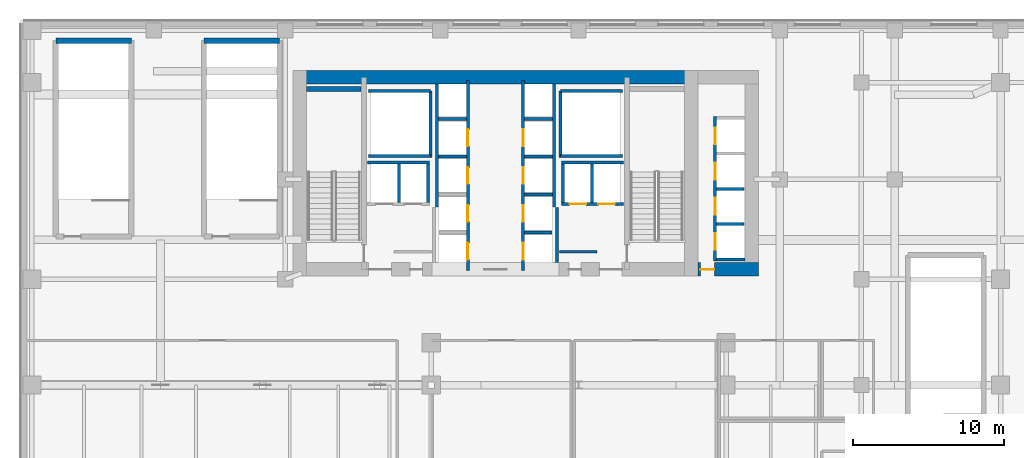
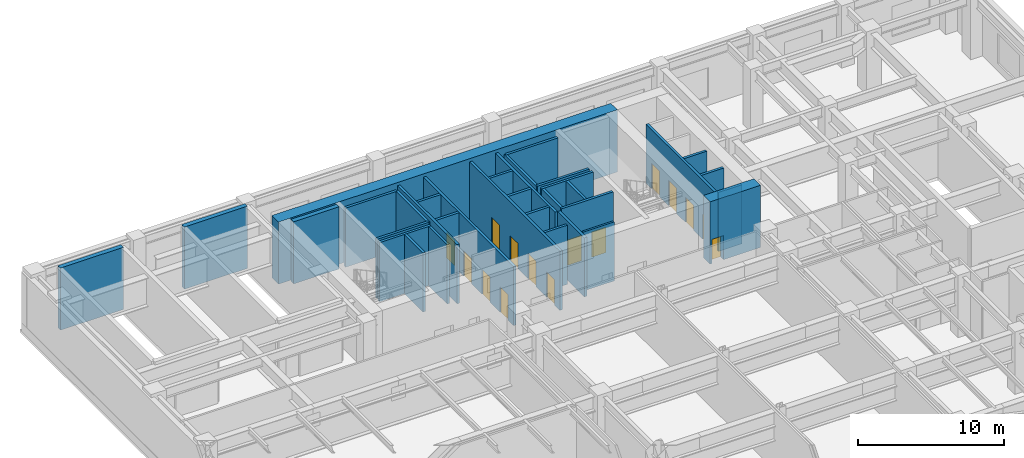
# One storey, part 7 of 14: 34 walls, 15 doors, 15 openings.
"""IFC4 building model written with IfcOpenShell, lengths in metres."""

from ifc_helpers import new_model, si_unit, direction, frame, frame_2d, origin, place, context, subcontext, project, spatial, rectangle, extrude, source, transform, mapped, material, layer, layer_set, type_object, type_shapes, element, fill, save


model = new_model("IFC4")

# Units and contexts
model_context = context("Model", 3, precision=1e-05, world=origin(), true_north=direction((0.0, 1.0)))
body_context = subcontext(model_context, "Body", "Model", "MODEL_VIEW")
ifc_project = project(units=[si_unit("LENGTHUNIT", "METRE"), si_unit("AREAUNIT", "SQUARE_METRE"), si_unit("VOLUMEUNIT", "CUBIC_METRE"), si_unit("PLANEANGLEUNIT", "RADIAN"), si_unit("MASSUNIT", "GRAM", prefix="KILO")], contexts=[model_context])

# Site, building, storey
site_placement = place(None, origin())
site = spatial("IfcSite", under=ifc_project, at=site_placement, CompositionType="ELEMENT")
building_placement = place(site_placement, origin())
building = spatial("IfcBuilding", under=site, at=building_placement, Name="Tolvann Quenvar Hotel", CompositionType="ELEMENT")
storey_placement = place(building_placement, frame((0.0, 0.0, 26.800048828125)))
storey = spatial("IfcBuildingStorey", under=building, at=storey_placement, Name="L05", CompositionType="ELEMENT", Elevation=26.800048828125)

# Wall
ifc_material_1 = material(Name="Concrete S80 (80 MPa)", Category="concrete")
ifc_layer_1 = layer(ifc_material_1, 0.89990234375)
ifc_layer_set_1 = layer_set([ifc_layer_1], Name="Concrete S80 (80 MPa)")
wall_type_1 = type_object("IfcWallType", Name="WALL_CORE_900", PredefinedType="SHEAR", material=ifc_layer_set_1)
wall_1_placement = place(storey_placement, frame((9.60009765625, 44.75, 0.0), z_axis=(0.0, 0.0, 1.0), x_axis=(1.0, 0.0, 0.0)))
element("IfcWall", 1, at=wall_1_placement, inside=storey, type_object=wall_type_1, Name="Rear Core N Shear Wall (L05)", PredefinedType="SHEAR", context=body_context, shape_type="SweptSolid", body=[
    extrude(rectangle(XDim=26.7998046875, YDim=0.89990234375, at=frame_2d((13.39990234375, 0.0))), origin(), (0.0, 0.0, 1.0), 5.199951171875),
])

# Wall, opening, door
wall_2_placement = place(storey_placement, frame((36.39990234375, 32.050048828125, 0.0), z_axis=(0.0, 0.0, 1.0), x_axis=(1.0, 0.0, 0.0)))
wall_2 = element("IfcWall", 2, at=wall_2_placement, inside=storey, type_object=wall_type_1, Name="Core East Annex Shear Wall ANN-S (L05)", PredefinedType="SHEAR", context=body_context, shape_type="SweptSolid", body=[
    extrude(rectangle(XDim=4.0, YDim=0.89990234375, at=frame_2d((2.0, 0.0))), origin(), (0.0, 0.0, 1.0), 5.199951171875),
])
opening_1_placement = place(wall_2_placement, frame((1.06982421875, 0.0, 0.0), z_axis=(0.0, 0.0, 1.0), x_axis=(-1.0, 0.0, 0.0)))
opening_1 = element("IfcOpeningElement", 3, at=opening_1_placement, cuts=wall_2, Name="Opening WD-01", PredefinedType="OPENING", context=body_context, shape_type="SweptSolid", body=[
    extrude(rectangle(XDim=0.919921875, YDim=2.010009765625, at=frame_2d((0.4599609375, 1.0048828125))), frame((0.0, 0.4599609375, 0.0), z_axis=(0.0, -1.0, 0.0), x_axis=(1.0, 0.0, 0.0)), (0.0, 0.0, 1.0), 0.919921875),
])
ifc_material_2 = material(Name="Solid-core American oak acoustic fire door leaf in steel frame", Category="steel")
door_type_1 = type_object("IfcDoorType", Name="DOOR_WC_920", OperationType="NOTDEFINED", PredefinedType="DOOR", material=ifc_material_2)
shared_shape_1 = source(origin(), body_context, "Body", "SweptSolid", [
    extrude(rectangle(XDim=0.919921875, YDim=2.010009765625, at=frame_2d((0.4599609375, 1.0048828125))), frame((0.0, 0.02490234375, 0.0), z_axis=(0.0, -1.0, 0.0), x_axis=(1.0, 0.0, 0.0)), (0.0, 0.0, 1.0), 0.050048828125),
])
type_shapes(door_type_1, [shared_shape_1])
door_1_placement = place(opening_1_placement, origin())
door_1 = element("IfcDoor", 4, at=door_1_placement, inside=storey, type_object=door_type_1, Name="Low-Rise Lift Lobby Fire Door (L05)", OperationType="SINGLE_SWING_RIGHT", OverallHeight=2.010009765625, OverallWidth=0.919921875, PredefinedType="DOOR", context=body_context, shape_type="MappedRepresentation", body=[
    mapped(shared_shape_1, transform((0.0, 0.0, 0.0), x_axis=(1.0, 0.0, 0.0), y_axis=(0.0, 1.0, 0.0), z_axis=(0.0, 0.0, 1.0), scale=1.0)),
])
fill(opening_1, door_1)

# Walls
ifc_material_3 = material(Name="Concrete S65 (65 MPa)", Category="concrete")
ifc_layer_2 = layer(ifc_material_3, 0.35009765625)
ifc_layer_set_2 = layer_set([ifc_layer_2], Name="Concrete S65 (65 MPa)")
wall_type_2 = type_object("IfcWallType", Name="WALL_CORE_INT_350", PredefinedType="SHEAR", material=ifc_layer_set_2)
wall_3_placement = place(storey_placement, frame((10.52001953125, 43.97509765625, 0.0), z_axis=(0.0, 0.0, 1.0), x_axis=(1.0, 0.0, 0.0)))
element("IfcWall", 5, at=wall_3_placement, inside=storey, type_object=wall_type_2, Name="Core Stair North Closing Shear Wall STC1-N (L05)", PredefinedType="SHEAR", context=body_context, shape_type="SweptSolid", body=[
    extrude(rectangle(XDim=3.60009765625, YDim=0.35009765625, at=frame_2d((1.800048828125, 0.0))), origin(), (0.0, 0.0, 1.0), 5.199951171875),
])
for number, where, z_axis, x_axis, name in (
    (6, (-1.074951171875, 47.175048828125, 0.0), (0.0, 0.0, 1.0), (-1.0, 0.0, 0.0), "Stairwell ST-P1 Structural Shaft Wall N (L05)"),
    (7, (8.72509765625, 47.175048828125, 0.0), (0.0, 0.0, 1.0), (-1.0, 0.0, 0.0), "Stairwell ST-P2 Structural Shaft Wall N (L05)"),
):
    element("IfcWall", number, at=place(storey_placement, frame(where, z_axis=z_axis, x_axis=x_axis)), inside=storey, type_object=wall_type_2, Name=name, PredefinedType="SHEAR", context=body_context, shape_type="SweptSolid", body=[
        extrude(rectangle(XDim=5.0, YDim=0.35009765625, at=frame_2d((2.5, 0.0))), origin(), (0.0, 0.0, 1.0), 5.199951171875),
    ])
ifc_material_4 = material(Name="Acoustic twin-stud fire-rated gypsum plasterboard partition")
ifc_layer_3 = layer(ifc_material_4, 0.14990234375)
ifc_layer_set_3 = layer_set([ifc_layer_3], Name="Acoustic twin-stud fire-rated gypsum plasterboard partition")
wall_type_3 = type_object("IfcWallType", Name="WALL_PART_SUITE_150", PredefinedType="PARTITIONING", material=ifc_layer_set_3)
wall_4_placement = place(storey_placement, frame((27.235107421875, 33.219970703125, 0.0), z_axis=(0.0, 0.0, 1.0), x_axis=(1.0, 0.0, 0.0)))
element("IfcWall", 8, at=wall_4_placement, inside=storey, type_object=wall_type_3, Name="Interior Partition PT-SPC-L05-CSE-2-N", PredefinedType="PARTITIONING", context=body_context, shape_type="SweptSolid", body=[
    extrude(rectangle(XDim=2.48486328125, YDim=0.14990234375, at=frame_2d((1.242431640625, 0.0))), origin(), (0.0, 0.0, 1.0), 4.93994140625),
])
ifc_material_5 = material(Name="Concrete N40 (40 MPa)", Category="concrete")
ifc_layer_4 = layer(ifc_material_5, 0.199951171875)
ifc_layer_set_4 = layer_set([ifc_layer_4], Name="Concrete N40 (40 MPa)")
wall_type_4 = type_object("IfcWallType", Name="WALL_SHAFT_200", PredefinedType="SOLIDWALL", material=ifc_layer_set_4)
wall_5_placement = place(storey_placement, frame((18.699951171875, 39.449951171875, 0.0), z_axis=(0.0, 0.0, 1.0), x_axis=(0.0, 1.0, 0.0)))
element("IfcWall", 9, at=wall_5_placement, inside=storey, type_object=wall_type_4, Name="Service Riser W Shaft Wall IN (L05)", PredefinedType="SOLIDWALL", context=body_context, shape_type="SweptSolid", body=[
    extrude(rectangle(XDim=4.400146484375, YDim=0.199951171875, at=frame_2d((2.2001953125, 0.0))), origin(), (0.0, 0.0, 1.0), 4.93994140625),
])
for number, where, z_axis, x_axis, name in (
    (10, (14.60009765625, 39.550048828125, 0.0), (0.0, 0.0, 1.0), (1.0, 0.0, 0.0), "Service Riser W Shaft Wall S (L05)"),
    (11, (14.60009765625, 43.85009765625, 0.0), (0.0, 0.0, 1.0), (1.0, 0.0, 0.0), "Service Riser W Shaft Wall N (L05)"),
):
    element("IfcWall", number, at=place(storey_placement, frame(where, z_axis=z_axis, x_axis=x_axis)), inside=storey, type_object=wall_type_4, Name=name, PredefinedType="SOLIDWALL", context=body_context, shape_type="SweptSolid", body=[
        extrude(rectangle(XDim=4.099853515625, YDim=0.199951171875, at=frame_2d((2.0498046875, 0.0))), origin(), (0.0, 0.0, 1.0), 4.93994140625),
    ])
wall_6_placement = place(storey_placement, frame((27.300048828125, 39.449951171875, 0.0), z_axis=(0.0, 0.0, 1.0), x_axis=(0.0, 1.0, 0.0)))
element("IfcWall", 12, at=wall_6_placement, inside=storey, type_object=wall_type_4, Name="Service Riser E Shaft Wall IN (L05)", PredefinedType="SOLIDWALL", context=body_context, shape_type="SweptSolid", body=[
    extrude(rectangle(XDim=4.400146484375, YDim=0.199951171875, at=frame_2d((2.2001953125, 0.0))), origin(), (0.0, 0.0, 1.0), 4.93994140625),
])
for number, where, z_axis, x_axis, name in (
    (13, (27.300048828125, 39.550048828125, 0.0), (0.0, 0.0, 1.0), (1.0, 0.0, 0.0), "Service Riser E Shaft Wall S (L05)"),
    (14, (27.300048828125, 43.85009765625, 0.0), (0.0, 0.0, 1.0), (1.0, 0.0, 0.0), "Service Riser E Shaft Wall N (L05)"),
):
    element("IfcWall", number, at=place(storey_placement, frame(where, z_axis=z_axis, x_axis=x_axis)), inside=storey, type_object=wall_type_4, Name=name, PredefinedType="SOLIDWALL", context=body_context, shape_type="SweptSolid", body=[
        extrude(rectangle(XDim=4.099853515625, YDim=0.199951171875, at=frame_2d((2.0498046875, 0.0))), origin(), (0.0, 0.0, 1.0), 4.93994140625),
    ])
wall_7_placement = place(storey_placement, frame((27.080078125, 32.50390625, 0.0), z_axis=(0.0, 0.0, 1.0), x_axis=(0.0, 1.0, 0.0)))
element("IfcWall", 15, at=wall_7_placement, inside=storey, type_object=wall_type_4, Name="Firefighting Lobby E Inner Fire Wall (L05)", PredefinedType="SOLIDWALL", context=body_context, shape_type="SweptSolid", body=[
    extrude(rectangle(XDim=3.64599609375, YDim=0.199951171875, at=frame_2d((1.822998046875, 0.0))), origin(), (0.0, 0.0, 1.0), 4.93994140625),
])

# Wall, openings, doors
wall_8_placement = place(storey_placement, frame((21.169921875, 31.9599609375, 0.0), z_axis=(0.0, 0.0, 1.0), x_axis=(0.0, 1.0, 0.0)))
wall_8 = element("IfcWall", 16, at=wall_8_placement, inside=storey, type_object=wall_type_4, Name="Lift Bank E21.1C1 Hoistway Front Wall (L05)", PredefinedType="SOLIDWALL", context=body_context, shape_type="SweptSolid", body=[
    extrude(rectangle(XDim=12.580078125, YDim=0.199951171875, at=frame_2d((6.2900390625, 0.0))), origin(), (0.0, 0.0, 1.0), 4.93994140625),
])
opening_2_placement = place(wall_8_placement, frame((0.739990234375, 0.0, 0.0)))
opening_2 = element("IfcOpeningElement", 17, at=opening_2_placement, cuts=wall_8, Name="Opening LD-01", PredefinedType="OPENING", context=body_context, shape_type="SweptSolid", body=[
    extrude(rectangle(XDim=1.10009765625, YDim=2.1201171875, at=frame_2d((0.550048828125, 1.06005859375))), frame((0.0, 0.10986328125, 0.0), z_axis=(0.0, -1.0, 0.0), x_axis=(1.0, 0.0, 0.0)), (0.0, 0.0, 1.0), 0.219970703125),
])
opening_3_placement = place(wall_8_placement, frame((3.239990234375, 0.0, 0.0)))
opening_3 = element("IfcOpeningElement", 18, at=opening_3_placement, cuts=wall_8, Name="Opening LD-01", PredefinedType="OPENING", context=body_context, shape_type="SweptSolid", body=[
    extrude(rectangle(XDim=1.10009765625, YDim=2.1201171875, at=frame_2d((0.550048828125, 1.06005859375))), frame((0.0, 0.10986328125, 0.0), z_axis=(0.0, -1.0, 0.0), x_axis=(1.0, 0.0, 0.0)), (0.0, 0.0, 1.0), 0.219970703125),
])
opening_4_placement = place(wall_8_placement, frame((5.739990234375, 0.0, 0.0)))
opening_4 = element("IfcOpeningElement", 19, at=opening_4_placement, cuts=wall_8, Name="Opening LD-01", PredefinedType="OPENING", context=body_context, shape_type="SweptSolid", body=[
    extrude(rectangle(XDim=1.10009765625, YDim=2.1201171875, at=frame_2d((0.550048828125, 1.06005859375))), frame((0.0, 0.10986328125, 0.0), z_axis=(0.0, -1.0, 0.0), x_axis=(1.0, 0.0, 0.0)), (0.0, 0.0, 1.0), 0.219970703125),
])
opening_5_placement = place(wall_8_placement, frame((8.239990234375, 0.0, 0.0)))
opening_5 = element("IfcOpeningElement", 20, at=opening_5_placement, cuts=wall_8, Name="Opening LD-01", PredefinedType="OPENING", context=body_context, shape_type="SweptSolid", body=[
    extrude(rectangle(XDim=1.10009765625, YDim=2.1201171875, at=frame_2d((0.550048828125, 1.06005859375))), frame((0.0, 0.10986328125, 0.0), z_axis=(0.0, -1.0, 0.0), x_axis=(1.0, 0.0, 0.0)), (0.0, 0.0, 1.0), 0.219970703125),
])
ifc_material_6 = material(Name="Brushed 316 stainless steel automatic sliding lift landing door", Category="steel")
door_type_2 = type_object("IfcDoorType", Name="DOOR_LIFT_SLIDE_1100", OperationType="NOTDEFINED", PredefinedType="DOOR", material=ifc_material_6)
shared_shape_2 = source(origin(), body_context, "Body", "SweptSolid", [
    extrude(rectangle(XDim=1.10009765625, YDim=2.1201171875, at=frame_2d((0.550048828125, 1.06005859375))), frame((0.0, 0.02490234375, 0.0), z_axis=(0.0, -1.0, 0.0), x_axis=(1.0, 0.0, 0.0)), (0.0, 0.0, 1.0), 0.050048828125),
])
type_shapes(door_type_2, [shared_shape_2])
door_2_placement = place(opening_2_placement, origin())
door_2 = element("IfcDoor", 21, at=door_2_placement, inside=storey, type_object=door_type_2, Name="Lift PH-1 Sliding Landing Door (L05)", OperationType="SLIDING_TO_LEFT", OverallHeight=2.1201171875, OverallWidth=1.10009765625, PredefinedType="DOOR", context=body_context, shape_type="MappedRepresentation", body=[
    mapped(shared_shape_2, transform((0.0, 0.0, 0.0), x_axis=(1.0, 0.0, 0.0), y_axis=(0.0, 1.0, 0.0), z_axis=(0.0, 0.0, 1.0), scale=1.0)),
])
fill(opening_2, door_2)
door_3_placement = place(opening_3_placement, origin())
door_3 = element("IfcDoor", 22, at=door_3_placement, inside=storey, type_object=door_type_2, Name="Lift PH-2 Sliding Landing Door (L05)", OperationType="SLIDING_TO_RIGHT", OverallHeight=2.1201171875, OverallWidth=1.10009765625, PredefinedType="DOOR", context=body_context, shape_type="MappedRepresentation", body=[
    mapped(shared_shape_2, transform((0.0, 0.0, 0.0), x_axis=(1.0, 0.0, 0.0), y_axis=(0.0, 1.0, 0.0), z_axis=(0.0, 0.0, 1.0), scale=1.0)),
])
fill(opening_3, door_3)
door_4_placement = place(opening_4_placement, origin())
door_4 = element("IfcDoor", 23, at=door_4_placement, inside=storey, type_object=door_type_2, Name="Lift PM-1 Sliding Landing Door (L05)", OperationType="SLIDING_TO_RIGHT", OverallHeight=2.1201171875, OverallWidth=1.10009765625, PredefinedType="DOOR", context=body_context, shape_type="MappedRepresentation", body=[
    mapped(shared_shape_2, transform((0.0, 0.0, 0.0), x_axis=(1.0, 0.0, 0.0), y_axis=(0.0, 1.0, 0.0), z_axis=(0.0, 0.0, 1.0), scale=1.0)),
])
fill(opening_4, door_4)
door_5_placement = place(opening_5_placement, origin())
door_5 = element("IfcDoor", 24, at=door_5_placement, inside=storey, type_object=door_type_2, Name="Lift PM-2 Sliding Landing Door (L05)", OperationType="SLIDING_TO_LEFT", OverallHeight=2.1201171875, OverallWidth=1.10009765625, PredefinedType="DOOR", context=body_context, shape_type="MappedRepresentation", body=[
    mapped(shared_shape_2, transform((0.0, 0.0, 0.0), x_axis=(1.0, 0.0, 0.0), y_axis=(0.0, 1.0, 0.0), z_axis=(0.0, 0.0, 1.0), scale=1.0)),
])
fill(opening_5, door_5)

# Walls
wall_9_placement = place(storey_placement, frame((19.1298828125, 36.159912109375, 0.0), z_axis=(0.0, 0.0, 1.0), x_axis=(0.0, 1.0, 0.0)))
element("IfcWall", 25, at=wall_9_placement, inside=storey, type_object=wall_type_4, Name="Lift Bank E21.1C1 Hoistway Rear Wall (L05)", PredefinedType="SOLIDWALL", context=body_context, shape_type="SweptSolid", body=[
    extrude(rectangle(XDim=8.135986328125, YDim=0.199951171875, at=frame_2d((4.06787109375, 0.0))), origin(), (0.0, 0.0, 1.0), 4.93994140625),
])
for number, where, z_axis, x_axis, name in (
    (26, (19.22998046875, 39.5, 0.0), (0.0, 0.0, 1.0), (1.0, 0.0, 0.0), "Lift Bank E21.1C1 Divider Wall 3 (L05)"),
    (27, (19.22998046875, 42.0, 0.0), (0.0, 0.0, 1.0), (1.0, 0.0, 0.0), "Lift Bank E21.1C1 Divider Wall 4 (L05)"),
):
    element("IfcWall", number, at=place(storey_placement, frame(where, z_axis=z_axis, x_axis=x_axis)), inside=storey, type_object=wall_type_4, Name=name, PredefinedType="SOLIDWALL", context=body_context, shape_type="SweptSolid", body=[
        extrude(rectangle(XDim=1.840087890625, YDim=0.199951171875, at=frame_2d((0.919921875, 0.0))), origin(), (0.0, 0.0, 1.0), 4.93994140625),
    ])

# Wall, openings, doors
wall_10_placement = place(storey_placement, frame((27.375, 36.3798828125, 0.0), z_axis=(0.0, 0.0, 1.0), x_axis=(1.0, 0.0, 0.0)))
wall_10 = element("IfcWall", 28, at=wall_10_placement, inside=storey, type_object=wall_type_4, Name="Lift Bank SEC1 Hoistway Front Wall (L05)", PredefinedType="SOLIDWALL", context=body_context, shape_type="SweptSolid", body=[
    extrude(rectangle(XDim=4.074951171875, YDim=0.199951171875, at=frame_2d((2.03759765625, 0.0))), origin(), (0.0, 0.0, 1.0), 4.93994140625),
])
opening_6_placement = place(wall_10_placement, frame((0.52490234375, 0.0, 0.0)))
opening_6 = element("IfcOpeningElement", 29, at=opening_6_placement, cuts=wall_10, Name="Opening LD-01", PredefinedType="OPENING", context=body_context, shape_type="SweptSolid", body=[
    extrude(rectangle(XDim=1.10009765625, YDim=2.1201171875, at=frame_2d((0.550048828125, 1.06005859375))), frame((0.0, 0.10986328125, 0.0), z_axis=(0.0, -1.0, 0.0), x_axis=(1.0, 0.0, 0.0)), (0.0, 0.0, 1.0), 0.219970703125),
])
opening_7_placement = place(wall_10_placement, frame((2.425048828125, 0.0, 0.0)))
opening_7 = element("IfcOpeningElement", 30, at=opening_7_placement, cuts=wall_10, Name="Opening LD-01", PredefinedType="OPENING", context=body_context, shape_type="SweptSolid", body=[
    extrude(rectangle(XDim=1.10009765625, YDim=2.1201171875, at=frame_2d((0.550048828125, 1.06005859375))), frame((0.0, 0.10986328125, 0.0), z_axis=(0.0, -1.0, 0.0), x_axis=(1.0, 0.0, 0.0)), (0.0, 0.0, 1.0), 0.219970703125),
])
door_6_placement = place(opening_6_placement, origin())
door_6 = element("IfcDoor", 31, at=door_6_placement, inside=storey, type_object=door_type_2, Name="Lift SV-2 Sliding Landing Door (L05)", OperationType="SLIDING_TO_LEFT", OverallHeight=2.1201171875, OverallWidth=1.10009765625, PredefinedType="DOOR", context=body_context, shape_type="MappedRepresentation", body=[
    mapped(shared_shape_2, transform((0.0, 0.0, 0.0), x_axis=(1.0, 0.0, 0.0), y_axis=(0.0, 1.0, 0.0), z_axis=(0.0, 0.0, 1.0), scale=1.0)),
])
fill(opening_6, door_6)
door_7_placement = place(opening_7_placement, origin())
door_7 = element("IfcDoor", 32, at=door_7_placement, inside=storey, type_object=door_type_2, Name="Lift FF-2 Sliding Landing Door (L05)", OperationType="SLIDING_TO_RIGHT", OverallHeight=2.1201171875, OverallWidth=1.10009765625, PredefinedType="DOOR", context=body_context, shape_type="MappedRepresentation", body=[
    mapped(shared_shape_2, transform((0.0, 0.0, 0.0), x_axis=(1.0, 0.0, 0.0), y_axis=(0.0, 1.0, 0.0), z_axis=(0.0, 0.0, 1.0), scale=1.0)),
])
fill(opening_7, door_7)

# Walls
wall_11_placement = place(storey_placement, frame((27.375, 39.1201171875, 0.0), z_axis=(0.0, 0.0, 1.0), x_axis=(1.0, 0.0, 0.0)))
element("IfcWall", 33, at=wall_11_placement, inside=storey, type_object=wall_type_4, Name="Lift Bank SEC1 Hoistway Rear Wall (L05)", PredefinedType="SOLIDWALL", context=body_context, shape_type="SweptSolid", body=[
    extrude(rectangle(XDim=4.074951171875, YDim=0.199951171875, at=frame_2d((2.03759765625, 0.0))), origin(), (0.0, 0.0, 1.0), 4.93994140625),
])
for number, where, z_axis, x_axis, name in (
    (34, (27.47509765625, 36.47998046875, 0.0), (0.0, 0.0, 1.0), (0.0, 1.0, 0.0), "Lift Bank SEC1 Hoistway Cheek Wall 1 (L05)"),
    (35, (29.387451171875, 36.47998046875, 0.0), (0.0, 0.0, 1.0), (0.0, 1.0, 0.0), "Lift Bank SEC1 Divider Wall 1 (L05)"),
):
    element("IfcWall", number, at=place(storey_placement, frame(where, z_axis=z_axis, x_axis=x_axis)), inside=storey, type_object=wall_type_4, Name=name, PredefinedType="SOLIDWALL", context=body_context, shape_type="SweptSolid", body=[
        extrude(rectangle(XDim=2.5400390625, YDim=0.199951171875, at=frame_2d((1.27001953125, 0.0))), origin(), (0.0, 0.0, 1.0), 4.93994140625),
    ])
wall_12_placement = place(storey_placement, frame((14.550048828125, 39.1201171875, 0.0), z_axis=(0.0, 0.0, 1.0), x_axis=(1.0, 0.0, 0.0)))
element("IfcWall", 36, at=wall_12_placement, inside=storey, type_object=wall_type_4, Name="Lift Bank SWC1 Hoistway Rear Wall (L05)", PredefinedType="SOLIDWALL", context=body_context, shape_type="SweptSolid", body=[
    extrude(rectangle(XDim=4.074951171875, YDim=0.199951171875, at=frame_2d((2.03759765625, 0.0))), origin(), (0.0, 0.0, 1.0), 4.93994140625),
])
for number, where, z_axis, x_axis, name in (
    (37, (18.52490234375, 36.47998046875, 0.0), (0.0, 0.0, 1.0), (0.0, 1.0, 0.0), "Lift Bank SWC1 Hoistway Cheek Wall 2 (L05)"),
    (38, (16.612548828125, 36.47998046875, 0.0), (0.0, 0.0, 1.0), (0.0, 1.0, 0.0), "Lift Bank SWC1 Divider Wall 1 (L05)"),
):
    element("IfcWall", number, at=place(storey_placement, frame(where, z_axis=z_axis, x_axis=x_axis)), inside=storey, type_object=wall_type_4, Name=name, PredefinedType="SOLIDWALL", context=body_context, shape_type="SweptSolid", body=[
        extrude(rectangle(XDim=2.5400390625, YDim=0.199951171875, at=frame_2d((1.27001953125, 0.0))), origin(), (0.0, 0.0, 1.0), 4.93994140625),
    ])

# Wall, openings, doors
wall_13_placement = place(storey_placement, frame((24.830078125, 31.9599609375, 0.0), z_axis=(0.0, 0.0, 1.0), x_axis=(0.0, 1.0, 0.0)))
wall_13 = element("IfcWall", 39, at=wall_13_placement, inside=storey, type_object=wall_type_4, Name="Lift Bank W24.9C1 Hoistway Front Wall (L05)", PredefinedType="SOLIDWALL", context=body_context, shape_type="SweptSolid", body=[
    extrude(rectangle(XDim=12.580078125, YDim=0.199951171875, at=frame_2d((6.2900390625, 0.0))), origin(), (0.0, 0.0, 1.0), 4.93994140625),
])
opening_8_placement = place(wall_13_placement, frame((0.739990234375, 0.0, 0.0)))
opening_8 = element("IfcOpeningElement", 40, at=opening_8_placement, cuts=wall_13, Name="Opening LD-01", PredefinedType="OPENING", context=body_context, shape_type="SweptSolid", body=[
    extrude(rectangle(XDim=1.10009765625, YDim=2.1201171875, at=frame_2d((0.550048828125, 1.06005859375))), frame((0.0, 0.10986328125, 0.0), z_axis=(0.0, -1.0, 0.0), x_axis=(1.0, 0.0, 0.0)), (0.0, 0.0, 1.0), 0.219970703125),
])
opening_9_placement = place(wall_13_placement, frame((3.239990234375, 0.0, 0.0)))
opening_9 = element("IfcOpeningElement", 41, at=opening_9_placement, cuts=wall_13, Name="Opening LD-01", PredefinedType="OPENING", context=body_context, shape_type="SweptSolid", body=[
    extrude(rectangle(XDim=1.10009765625, YDim=2.1201171875, at=frame_2d((0.550048828125, 1.06005859375))), frame((0.0, 0.10986328125, 0.0), z_axis=(0.0, -1.0, 0.0), x_axis=(1.0, 0.0, 0.0)), (0.0, 0.0, 1.0), 0.219970703125),
])
opening_10_placement = place(wall_13_placement, frame((5.739990234375, 0.0, 0.0)))
opening_10 = element("IfcOpeningElement", 42, at=opening_10_placement, cuts=wall_13, Name="Opening LD-01", PredefinedType="OPENING", context=body_context, shape_type="SweptSolid", body=[
    extrude(rectangle(XDim=1.10009765625, YDim=2.1201171875, at=frame_2d((0.550048828125, 1.06005859375))), frame((0.0, 0.10986328125, 0.0), z_axis=(0.0, -1.0, 0.0), x_axis=(1.0, 0.0, 0.0)), (0.0, 0.0, 1.0), 0.219970703125),
])
opening_11_placement = place(wall_13_placement, frame((8.239990234375, 0.0, 0.0)))
opening_11 = element("IfcOpeningElement", 43, at=opening_11_placement, cuts=wall_13, Name="Opening LD-01", PredefinedType="OPENING", context=body_context, shape_type="SweptSolid", body=[
    extrude(rectangle(XDim=1.10009765625, YDim=2.1201171875, at=frame_2d((0.550048828125, 1.06005859375))), frame((0.0, 0.10986328125, 0.0), z_axis=(0.0, -1.0, 0.0), x_axis=(1.0, 0.0, 0.0)), (0.0, 0.0, 1.0), 0.219970703125),
])
door_8_placement = place(opening_8_placement, origin())
door_8 = element("IfcDoor", 44, at=door_8_placement, inside=storey, type_object=door_type_2, Name="Lift PH-3 Sliding Landing Door (L05)", OperationType="SLIDING_TO_LEFT", OverallHeight=2.1201171875, OverallWidth=1.10009765625, PredefinedType="DOOR", context=body_context, shape_type="MappedRepresentation", body=[
    mapped(shared_shape_2, transform((0.0, 0.0, 0.0), x_axis=(1.0, 0.0, 0.0), y_axis=(0.0, 1.0, 0.0), z_axis=(0.0, 0.0, 1.0), scale=1.0)),
])
fill(opening_8, door_8)
door_9_placement = place(opening_9_placement, origin())
door_9 = element("IfcDoor", 45, at=door_9_placement, inside=storey, type_object=door_type_2, Name="Lift PH-4 Sliding Landing Door (L05)", OperationType="SLIDING_TO_RIGHT", OverallHeight=2.1201171875, OverallWidth=1.10009765625, PredefinedType="DOOR", context=body_context, shape_type="MappedRepresentation", body=[
    mapped(shared_shape_2, transform((0.0, 0.0, 0.0), x_axis=(1.0, 0.0, 0.0), y_axis=(0.0, 1.0, 0.0), z_axis=(0.0, 0.0, 1.0), scale=1.0)),
])
fill(opening_9, door_9)
door_10_placement = place(opening_10_placement, origin())
door_10 = element("IfcDoor", 46, at=door_10_placement, inside=storey, type_object=door_type_2, Name="Lift PM-3 Sliding Landing Door (L05)", OperationType="SLIDING_TO_RIGHT", OverallHeight=2.1201171875, OverallWidth=1.10009765625, PredefinedType="DOOR", context=body_context, shape_type="MappedRepresentation", body=[
    mapped(shared_shape_2, transform((0.0, 0.0, 0.0), x_axis=(1.0, 0.0, 0.0), y_axis=(0.0, 1.0, 0.0), z_axis=(0.0, 0.0, 1.0), scale=1.0)),
])
fill(opening_10, door_10)
door_11_placement = place(opening_11_placement, origin())
door_11 = element("IfcDoor", 47, at=door_11_placement, inside=storey, type_object=door_type_2, Name="Lift PM-4 Sliding Landing Door (L05)", OperationType="SLIDING_TO_LEFT", OverallHeight=2.1201171875, OverallWidth=1.10009765625, PredefinedType="DOOR", context=body_context, shape_type="MappedRepresentation", body=[
    mapped(shared_shape_2, transform((0.0, 0.0, 0.0), x_axis=(1.0, 0.0, 0.0), y_axis=(0.0, 1.0, 0.0), z_axis=(0.0, 0.0, 1.0), scale=1.0)),
])
fill(opening_11, door_11)

# Walls
wall_14_placement = place(storey_placement, frame((26.8701171875, 36.159912109375, 0.0), z_axis=(0.0, 0.0, 1.0), x_axis=(0.0, 1.0, 0.0)))
element("IfcWall", 48, at=wall_14_placement, inside=storey, type_object=wall_type_4, Name="Lift Bank W24.9C1 Hoistway Rear Wall (L05)", PredefinedType="SOLIDWALL", context=body_context, shape_type="SweptSolid", body=[
    extrude(rectangle(XDim=8.135986328125, YDim=0.199951171875, at=frame_2d((4.06787109375, 0.0))), origin(), (0.0, 0.0, 1.0), 4.93994140625),
])
wall_15_placement = place(storey_placement, frame((24.929931640625, 34.5, 0.0), z_axis=(0.0, 0.0, 1.0), x_axis=(1.0, 0.0, 0.0)))
element("IfcWall", 49, at=wall_15_placement, inside=storey, type_object=wall_type_4, Name="Lift Bank W24.9C1 Divider Wall 1 (L05)", PredefinedType="SOLIDWALL", context=body_context, shape_type="SweptSolid", body=[
    extrude(rectangle(XDim=1.800048828125, YDim=0.199951171875, at=frame_2d((0.89990234375, 0.0))), origin(), (0.0, 0.0, 1.0), 4.93994140625),
])
for number, where, z_axis, x_axis, name in (
    (50, (24.929931640625, 37.0, 0.0), (0.0, 0.0, 1.0), (1.0, 0.0, 0.0), "Lift Bank W24.9C1 Divider Wall 2 (L05)"),
    (51, (24.929931640625, 39.5, 0.0), (0.0, 0.0, 1.0), (1.0, 0.0, 0.0), "Lift Bank W24.9C1 Divider Wall 3 (L05)"),
    (52, (24.929931640625, 42.0, 0.0), (0.0, 0.0, 1.0), (1.0, 0.0, 0.0), "Lift Bank W24.9C1 Divider Wall 4 (L05)"),
):
    element("IfcWall", number, at=place(storey_placement, frame(where, z_axis=z_axis, x_axis=x_axis)), inside=storey, type_object=wall_type_4, Name=name, PredefinedType="SOLIDWALL", context=body_context, shape_type="SweptSolid", body=[
        extrude(rectangle(XDim=1.840087890625, YDim=0.199951171875, at=frame_2d((0.919921875, 0.0))), origin(), (0.0, 0.0, 1.0), 4.93994140625),
    ])

# Wall, openings, doors
wall_16_placement = place(storey_placement, frame((37.530029296875, 32.610107421875, 0.0), z_axis=(0.0, 0.0, 1.0), x_axis=(0.0, 1.0, 0.0)))
wall_16 = element("IfcWall", 53, at=wall_16_placement, inside=storey, type_object=wall_type_4, Name="Lift Bank W37.6C1 Hoistway Front Wall (L05)", PredefinedType="SOLIDWALL", context=body_context, shape_type="SweptSolid", body=[
    extrude(rectangle(XDim=9.539794921875, YDim=0.199951171875, at=frame_2d((4.77001953125, 0.0))), origin(), (0.0, 0.0, 1.0), 4.93994140625),
])
opening_12_placement = place(wall_16_placement, frame((0.739990234375, 0.0, 0.0)))
opening_12 = element("IfcOpeningElement", 54, at=opening_12_placement, cuts=wall_16, Name="Opening LD-01", PredefinedType="OPENING", context=body_context, shape_type="SweptSolid", body=[
    extrude(rectangle(XDim=1.10009765625, YDim=2.1201171875, at=frame_2d((0.550048828125, 1.06005859375))), frame((0.0, 0.10986328125, 0.0), z_axis=(0.0, -1.0, 0.0), x_axis=(1.0, 0.0, 0.0)), (0.0, 0.0, 1.0), 0.219970703125),
])
opening_13_placement = place(wall_16_placement, frame((3.06005859375, 0.0, 0.0)))
opening_13 = element("IfcOpeningElement", 55, at=opening_13_placement, cuts=wall_16, Name="Opening LD-01", PredefinedType="OPENING", context=body_context, shape_type="SweptSolid", body=[
    extrude(rectangle(XDim=1.10009765625, YDim=2.1201171875, at=frame_2d((0.550048828125, 1.06005859375))), frame((0.0, 0.10986328125, 0.0), z_axis=(0.0, -1.0, 0.0), x_axis=(1.0, 0.0, 0.0)), (0.0, 0.0, 1.0), 0.219970703125),
])
opening_14_placement = place(wall_16_placement, frame((5.3798828125, 0.0, 0.0)))
opening_14 = element("IfcOpeningElement", 56, at=opening_14_placement, cuts=wall_16, Name="Opening LD-01", PredefinedType="OPENING", context=body_context, shape_type="SweptSolid", body=[
    extrude(rectangle(XDim=1.10009765625, YDim=2.1201171875, at=frame_2d((0.550048828125, 1.06005859375))), frame((0.0, 0.10986328125, 0.0), z_axis=(0.0, -1.0, 0.0), x_axis=(1.0, 0.0, 0.0)), (0.0, 0.0, 1.0), 0.219970703125),
])
opening_15_placement = place(wall_16_placement, frame((7.699951171875, 0.0, 0.0)))
opening_15 = element("IfcOpeningElement", 57, at=opening_15_placement, cuts=wall_16, Name="Opening LD-01", PredefinedType="OPENING", context=body_context, shape_type="SweptSolid", body=[
    extrude(rectangle(XDim=1.10009765625, YDim=2.1201171875, at=frame_2d((0.550048828125, 1.06005859375))), frame((0.0, 0.10986328125, 0.0), z_axis=(0.0, -1.0, 0.0), x_axis=(1.0, 0.0, 0.0)), (0.0, 0.0, 1.0), 0.219970703125),
])
door_12_placement = place(opening_12_placement, origin())
door_12 = element("IfcDoor", 58, at=door_12_placement, inside=storey, type_object=door_type_2, Name="Lift PL-1 Sliding Landing Door (L05)", OperationType="SLIDING_TO_LEFT", OverallHeight=2.1201171875, OverallWidth=1.10009765625, PredefinedType="DOOR", context=body_context, shape_type="MappedRepresentation", body=[
    mapped(shared_shape_2, transform((0.0, 0.0, 0.0), x_axis=(1.0, 0.0, 0.0), y_axis=(0.0, 1.0, 0.0), z_axis=(0.0, 0.0, 1.0), scale=1.0)),
])
fill(opening_12, door_12)
door_13_placement = place(opening_13_placement, origin())
door_13 = element("IfcDoor", 59, at=door_13_placement, inside=storey, type_object=door_type_2, Name="Lift PL-2 Sliding Landing Door (L05)", OperationType="SLIDING_TO_RIGHT", OverallHeight=2.1201171875, OverallWidth=1.10009765625, PredefinedType="DOOR", context=body_context, shape_type="MappedRepresentation", body=[
    mapped(shared_shape_2, transform((0.0, 0.0, 0.0), x_axis=(1.0, 0.0, 0.0), y_axis=(0.0, 1.0, 0.0), z_axis=(0.0, 0.0, 1.0), scale=1.0)),
])
fill(opening_13, door_13)
door_14_placement = place(opening_14_placement, origin())
door_14 = element("IfcDoor", 60, at=door_14_placement, inside=storey, type_object=door_type_2, Name="Lift PL-3 Sliding Landing Door (L05)", OperationType="SLIDING_TO_LEFT", OverallHeight=2.1201171875, OverallWidth=1.10009765625, PredefinedType="DOOR", context=body_context, shape_type="MappedRepresentation", body=[
    mapped(shared_shape_2, transform((0.0, 0.0, 0.0), x_axis=(1.0, 0.0, 0.0), y_axis=(0.0, 1.0, 0.0), z_axis=(0.0, 0.0, 1.0), scale=1.0)),
])
fill(opening_14, door_14)
door_15_placement = place(opening_15_placement, origin())
door_15 = element("IfcDoor", 61, at=door_15_placement, inside=storey, type_object=door_type_2, Name="Lift PL-4 Sliding Landing Door (L05)", OperationType="SLIDING_TO_RIGHT", OverallHeight=2.1201171875, OverallWidth=1.10009765625, PredefinedType="DOOR", context=body_context, shape_type="MappedRepresentation", body=[
    mapped(shared_shape_2, transform((0.0, 0.0, 0.0), x_axis=(1.0, 0.0, 0.0), y_axis=(0.0, 1.0, 0.0), z_axis=(0.0, 0.0, 1.0), scale=1.0)),
])
fill(opening_15, door_15)

# Walls
wall_17_placement = place(storey_placement, frame((37.6298828125, 32.7099609375, 0.0), z_axis=(0.0, 0.0, 1.0), x_axis=(1.0, 0.0, 0.0)))
element("IfcWall", 62, at=wall_17_placement, inside=storey, type_object=wall_type_4, Name="Lift Bank W37.6C1 Hoistway Cheek Wall 1 (L05)", PredefinedType="SOLIDWALL", context=body_context, shape_type="SweptSolid", body=[
    extrude(rectangle(XDim=1.8701171875, YDim=0.199951171875, at=frame_2d((0.93505859375, 0.0))), origin(), (0.0, 0.0, 1.0), 4.93994140625),
])
for number, where, z_axis, x_axis, name in (
    (63, (37.6298828125, 35.06005859375, 0.0), (0.0, 0.0, 1.0), (1.0, 0.0, 0.0), "Lift Bank W37.6C1 Divider Wall 1 (L05)"),
    (64, (37.6298828125, 37.3798828125, 0.0), (0.0, 0.0, 1.0), (1.0, 0.0, 0.0), "Lift Bank W37.6C1 Divider Wall 2 (L05)"),
):
    element("IfcWall", number, at=place(storey_placement, frame(where, z_axis=z_axis, x_axis=x_axis)), inside=storey, type_object=wall_type_4, Name=name, PredefinedType="SOLIDWALL", context=body_context, shape_type="SweptSolid", body=[
        extrude(rectangle(XDim=1.800048828125, YDim=0.199951171875, at=frame_2d((0.89990234375, 0.0))), origin(), (0.0, 0.0, 1.0), 4.93994140625),
    ])

save(model, "model.ifc")
